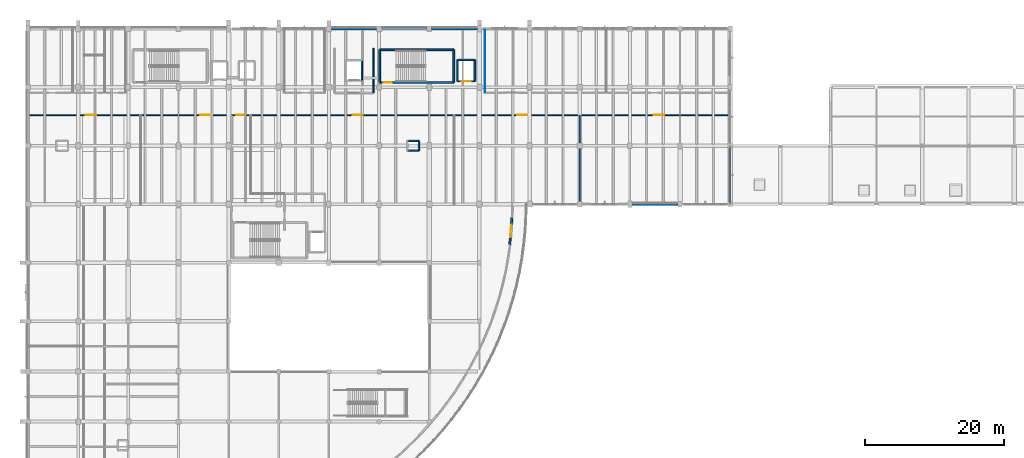
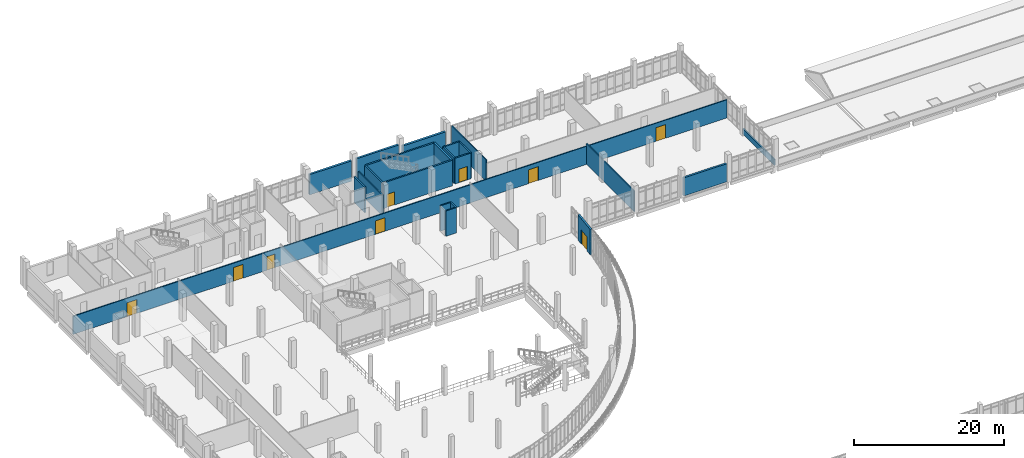
# One storey, part 111 of 124: 22 walls, 9 doors, 9 openings.
"""IFC4 building model written with IfcOpenShell, lengths in metres."""

from ifc_helpers import new_model, si_unit, direction, frame, frame_2d, origin, place, context, subcontext, project, spatial, rectangle, extrude, material, layer, layer_set, type_object, element, fill, save


model = new_model("IFC4")

# Units and contexts
model_context = context("Model", 3, precision=1e-05, world=origin(), true_north=direction((0.0, 1.0)))
body_context = subcontext(model_context, "Body", "Model", "MODEL_VIEW")
ifc_project = project(units=[si_unit("LENGTHUNIT", "METRE"), si_unit("AREAUNIT", "SQUARE_METRE"), si_unit("VOLUMEUNIT", "CUBIC_METRE"), si_unit("PLANEANGLEUNIT", "RADIAN"), si_unit("MASSUNIT", "GRAM", prefix="KILO")], contexts=[model_context])

# Site, building, storey
site_placement = place(None, origin())
site = spatial("IfcSite", under=ifc_project, at=site_placement, CompositionType="ELEMENT")
building_placement = place(site_placement, origin())
building = spatial("IfcBuilding", under=site, at=building_placement, Name="Kalluvel Institute of Natural Sciences", CompositionType="ELEMENT")
storey_placement = place(building_placement, frame((0.0, 0.0, 9.89990234375)))
storey = spatial("IfcBuildingStorey", under=building, at=storey_placement, Name="L02", CompositionType="ELEMENT", Elevation=9.89990234375)

# Wall, opening, door
ifc_material_1 = material(Name="Concrete M40", Category="concrete")
ifc_layer_1 = layer(ifc_material_1, 0.25)
ifc_layer_set_1 = layer_set([ifc_layer_1], Name="Concrete M40")
wall_type_1 = type_object("IfcWallType", Name="WL-CORE-250", PredefinedType="SHEAR", material=ifc_layer_set_1)
wall_1_placement = place(storey_placement, frame((64.485107421875, 120.284912109375, 0.0), z_axis=(0.0, 0.0, 1.0), x_axis=(1.0, 0.0, 0.0)))
wall_1 = element("IfcWall", 1, at=wall_1_placement, inside=storey, type_object=wall_type_1, Name="ST2 L02 core wall S", PredefinedType="SHEAR", context=body_context, shape_type="SweptSolid", body=[
    extrude(rectangle(XDim=10.6298828125, YDim=0.25, at=frame_2d((5.31494140625, 0.0))), origin(), (0.0, 0.0, 1.0), 4.175048828125),
])
opening_1_placement = place(wall_1_placement, frame((0.550048828125, 0.0, 0.0)))
opening_1 = element("IfcOpeningElement", 2, at=opening_1_placement, cuts=wall_1, Name="Opening DS-015", PredefinedType="OPENING", context=body_context, shape_type="SweptSolid", body=[
    extrude(rectangle(XDim=1.199951171875, YDim=2.14990234375, at=frame_2d((0.60009765625, 1.074951171875))), frame((0.0, 0.135009765625, 0.0), z_axis=(0.0, -1.0, 0.0), x_axis=(1.0, 0.0, 0.0)), (0.0, 0.0, 1.0), 0.27001953125),
])
ifc_material_2 = material(Name="Galvanized Fire-Rated Steel", Category="steel")
door_type_1 = type_object("IfcDoorType", Name="DR-ST-1200", OperationType="NOTDEFINED", PredefinedType="DOOR", material=ifc_material_2)
door_1_placement = place(opening_1_placement, origin())
door_1 = element("IfcDoor", 3, at=door_1_placement, inside=storey, type_object=door_type_1, Name="ST2 L02 protected stair door DS-015", OperationType="SINGLE_SWING_RIGHT", OverallHeight=2.14990234375, OverallWidth=1.199951171875, PredefinedType="DOOR", context=body_context, shape_type="SweptSolid", body=[
    extrude(rectangle(XDim=1.199951171875, YDim=2.14990234375, at=frame_2d((0.60009765625, 1.074951171875))), frame((0.0, 0.02490234375, 0.0), z_axis=(0.0, -1.0, 0.0), x_axis=(1.0, 0.0, 0.0)), (0.0, 0.0, 1.0), 0.050048828125),
])
fill(opening_1, door_1)

# Walls
wall_2_placement = place(storey_placement, frame((75.114990234375, 120.284912109375, 0.0), z_axis=(0.0, 0.0, 1.0), x_axis=(0.0, 1.0, 0.0)))
element("IfcWall", 4, at=wall_2_placement, inside=storey, type_object=wall_type_1, Name="ST2 L02 core wall E", PredefinedType="SHEAR", context=body_context, shape_type="SweptSolid", body=[
    extrude(rectangle(XDim=4.7001953125, YDim=0.25, at=frame_2d((2.35009765625, 0.0))), origin(), (0.0, 0.0, 1.0), 4.175048828125),
])
wall_3_placement = place(storey_placement, frame((75.114990234375, 124.985107421875, 0.0), z_axis=(0.0, 0.0, 1.0), x_axis=(-1.0, 0.0, 0.0)))
element("IfcWall", 5, at=wall_3_placement, inside=storey, type_object=wall_type_1, Name="ST2 L02 core wall N", PredefinedType="SHEAR", context=body_context, shape_type="SweptSolid", body=[
    extrude(rectangle(XDim=10.6298828125, YDim=0.25, at=frame_2d((5.31494140625, 0.0))), origin(), (0.0, 0.0, 1.0), 4.175048828125),
])
wall_4_placement = place(storey_placement, frame((64.485107421875, 124.985107421875, 0.0), z_axis=(0.0, 0.0, 1.0), x_axis=(0.0, -1.0, 0.0)))
element("IfcWall", 6, at=wall_4_placement, inside=storey, type_object=wall_type_1, Name="ST2 L02 core wall W", PredefinedType="SHEAR", context=body_context, shape_type="SweptSolid", body=[
    extrude(rectangle(XDim=4.7001953125, YDim=0.25, at=frame_2d((2.35009765625, 0.0))), origin(), (0.0, 0.0, 1.0), 4.175048828125),
])

# Wall, opening, door
ifc_material_3 = material(Name="Sadarahalli Grey Granite Ashlar Concrete M40", Category="masonry")
ifc_layer_2 = layer(ifc_material_3, 0.280029296875)
ifc_layer_set_2 = layer_set([ifc_layer_2], Name="Sadarahalli Grey Granite Ashlar Concrete M40")
wall_type_2 = type_object("IfcWallType", Name="WL-EXT-280", PredefinedType="SOLIDWALL", material=ifc_layer_set_2)
wall_5_placement = place(storey_placement, frame((83.15087890625, 97.0263671875, 0.0), z_axis=(0.0, 0.0, 1.0), x_axis=(0.080442000072, 0.996759291215, 0.0)))
wall_5 = element("IfcWall", 7, at=wall_5_placement, inside=storey, type_object=wall_type_2, Name="L02 Sadarahalli granite exterior wall WL-EXT-L02-0224", PredefinedType="SOLIDWALL", context=body_context, shape_type="SweptSolid", body=[
    extrude(rectangle(XDim=3.857421875, YDim=0.280029296875, at=frame_2d((1.9287109375, 0.0))), origin(), (0.0, 0.0, 1.0), 4.150146484375),
])
opening_2_placement = place(wall_5_placement, frame((1.02880859375, 0.0, 0.0)))
opening_2 = element("IfcOpeningElement", 8, at=opening_2_placement, cuts=wall_5, Name="Opening DT-006", PredefinedType="OPENING", context=body_context, shape_type="SweptSolid", body=[
    extrude(rectangle(XDim=1.800048828125, YDim=2.300048828125, at=frame_2d((0.89990234375, 1.14990234375))), frame((0.0, 0.14990234375, 0.0), z_axis=(0.0, -1.0, 0.0), x_axis=(1.0, 0.0, 0.0)), (0.0, 0.0, 1.0), 0.300048828125),
])
ifc_material_4 = material(Name="Aluminium AW-6063 T6", Category="aluminium")
door_type_2 = type_object("IfcDoorType", Name="DR-TER-1800", OperationType="NOTDEFINED", PredefinedType="DOOR", material=ifc_material_4)
door_2_placement = place(opening_2_placement, origin())
door_2 = element("IfcDoor", 9, at=door_2_placement, inside=storey, type_object=door_type_2, Name="L02 Curved Stepped Atrium Terrace Door", OperationType="DOUBLE_DOOR_SINGLE_SWING", OverallHeight=2.300048828125, OverallWidth=1.800048828125, PredefinedType="DOOR", context=body_context, shape_type="SweptSolid", body=[
    extrude(rectangle(XDim=1.800048828125, YDim=2.300048828125, at=frame_2d((0.89990234375, 1.14990234375))), frame((0.0, 0.02490234375, 0.0), z_axis=(0.0, -1.0, 0.0), x_axis=(1.0, 0.0, 0.0)), (0.0, 0.0, 1.0), 0.050048828125),
])
fill(opening_2, door_2)

# Walls
ifc_layer_3 = layer(ifc_material_3, 0.300048828125)
ifc_layer_set_3 = layer_set([ifc_layer_3], Name="Sadarahalli Grey Granite Ashlar Concrete M40")
wall_type_3 = type_object("IfcWallType", Name="WL-EXT-300", PredefinedType="SOLIDWALL", material=ifc_layer_set_3)
wall_6_placement = place(storey_placement, frame((100.679931640625, 102.800048828125, 0.0), z_axis=(0.0, 0.0, 1.0), x_axis=(1.0, 0.0, 0.0)))
element("IfcWall", 10, at=wall_6_placement, inside=storey, type_object=wall_type_3, Name="L02 Sadarahalli granite exterior wall WL-EXT-L02-0035", PredefinedType="SOLIDWALL", context=body_context, shape_type="SweptSolid", body=[
    extrude(rectangle(XDim=6.64013671875, YDim=0.300048828125, at=frame_2d((3.320068359375, 0.0))), origin(), (0.0, 0.0, 1.0), 2.955078125),
])
ifc_layer_4 = layer(ifc_material_3, 0.320068359375)
ifc_layer_set_4 = layer_set([ifc_layer_4], Name="Sadarahalli Grey Granite Ashlar Concrete M40")
wall_type_4 = type_object("IfcWallType", Name="WL-EXT-320", PredefinedType="SOLIDWALL", material=ifc_layer_set_4)
wall_7_placement = place(storey_placement, frame((57.554931640625, 128.0, 0.0), z_axis=(0.0, 0.0, 1.0), x_axis=(1.0, 0.0, 0.0)))
element("IfcWall", 11, at=wall_7_placement, inside=storey, type_object=wall_type_4, Name="L02 Sadarahalli granite exterior wall WL-EXT-L02-0032", PredefinedType="SOLIDWALL", context=body_context, shape_type="SweptSolid", body=[
    extrude(rectangle(XDim=6.465087890625, YDim=0.320068359375, at=frame_2d((3.232421875, 0.0))), origin(), (0.0, 0.0, 1.0), 3.30517578125),
])
wall_8_placement = place(storey_placement, frame((64.780029296875, 128.0, 0.0), z_axis=(0.0, 0.0, 1.0), x_axis=(1.0, 0.0, 0.0)))
element("IfcWall", 12, at=wall_8_placement, inside=storey, type_object=wall_type_4, Name="L02 Sadarahalli granite exterior wall WL-EXT-L02-0033", PredefinedType="SOLIDWALL", context=body_context, shape_type="SweptSolid", body=[
    extrude(rectangle(XDim=6.514892578125, YDim=0.320068359375, at=frame_2d((3.25732421875, 0.0))), origin(), (0.0, 0.0, 1.0), 3.35498046875),
])
wall_9_placement = place(storey_placement, frame((71.905029296875, 128.0, 0.0), z_axis=(0.0, 0.0, 1.0), x_axis=(1.0, 0.0, 0.0)))
element("IfcWall", 13, at=wall_9_placement, inside=storey, type_object=wall_type_4, Name="L02 Sadarahalli granite exterior wall WL-EXT-L02-0034", PredefinedType="SOLIDWALL", context=body_context, shape_type="SweptSolid", body=[
    extrude(rectangle(XDim=6.614990234375, YDim=0.320068359375, at=frame_2d((3.3076171875, 0.0))), origin(), (0.0, 0.0, 1.0), 2.955078125),
])
ifc_material_5 = material(Name="Autoclaved Aerated Concrete Masonry Block", Category="masonry")
ifc_layer_5 = layer(ifc_material_5, 0.199951171875)
ifc_layer_set_5 = layer_set([ifc_layer_5], Name="Autoclaved Aerated Concrete Masonry Block")
wall_type_5 = type_object("IfcWallType", Name="WL-FIRE-200", PredefinedType="SOLIDWALL", material=ifc_layer_set_5)
wall_10_placement = place(storey_placement, frame((63.60009765625, 118.800048828125, 0.0), z_axis=(0.0, 0.0, 1.0), x_axis=(0.0, 1.0, 0.0)))
element("IfcWall", 14, at=wall_10_placement, inside=storey, type_object=wall_type_5, Name="L02 interior fire wall WL-INT-L02-0128", PredefinedType="SOLIDWALL", context=body_context, shape_type="SweptSolid", body=[
    extrude(rectangle(XDim=6.39990234375, YDim=0.199951171875, at=frame_2d((3.199951171875, 0.0))), origin(), (0.0, 0.0, 1.0), 3.360107421875),
])
ifc_layer_6 = layer(ifc_material_3, 0.199951171875)
ifc_layer_set_6 = layer_set([ifc_layer_6], Name="Sadarahalli Grey Granite Ashlar Concrete M40")
wall_type_6 = type_object("IfcWallType", Name="WL-PAR-200", PredefinedType="PARAPET", material=ifc_layer_set_6)
wall_11_placement = place(storey_placement, frame((114.800048828125, 111.199951171875, 0.0), z_axis=(0.0, 0.0, 1.0), x_axis=(0.0, -1.0, 0.0)))
element("IfcWall", 15, at=wall_11_placement, inside=storey, type_object=wall_type_6, Name="L02 maintenance roof stone parapet 27", PredefinedType="PARAPET", context=body_context, shape_type="SweptSolid", body=[
    extrude(rectangle(XDim=8.39990234375, YDim=0.199951171875, at=frame_2d((4.199951171875, 0.0))), origin(), (0.0, 0.0, 1.0), 0.9501953125),
])
ifc_material_6 = material(Name="Acoustic Gypsum Twin-Stud Partition", Category="gypsum")
ifc_layer_7 = layer(ifc_material_6, 0.139892578125)
ifc_layer_set_7 = layer_set([ifc_layer_7], Name="Acoustic Gypsum Twin-Stud Partition")
wall_type_7 = type_object("IfcWallType", Name="WL-PART-140", PredefinedType="PARTITIONING", material=ifc_layer_set_7)
wall_12_placement = place(storey_placement, frame((79.60009765625, 118.800048828125, 0.0), z_axis=(0.0, 0.0, 1.0), x_axis=(0.0, 1.0, 0.0)))
element("IfcWall", 16, at=wall_12_placement, inside=storey, type_object=wall_type_7, Name="L02 interior partition wall WL-INT-L02-0145", PredefinedType="PARTITIONING", context=body_context, shape_type="SweptSolid", body=[
    extrude(rectangle(XDim=9.199951171875, YDim=0.139892578125, at=frame_2d((4.60009765625, 0.0))), origin(), (0.0, 0.0, 1.0), 3.510009765625),
])

# Wall, openings, doors
ifc_layer_8 = layer(ifc_material_5, 0.159912109375)
ifc_layer_set_8 = layer_set([ifc_layer_8], Name="Autoclaved Aerated Concrete Masonry Block")
wall_type_8 = type_object("IfcWallType", Name="WL-PART-160", PredefinedType="PARTITIONING", material=ifc_layer_set_8)
wall_13_placement = place(storey_placement, frame((14.0, 115.60009765625, 0.0), z_axis=(0.0, 0.0, 1.0), x_axis=(1.0, 0.0, 0.0)))
wall_13 = element("IfcWall", 17, at=wall_13_placement, inside=storey, type_object=wall_type_8, Name="L02 interior partition wall WL-INT-L02-0147", PredefinedType="PARTITIONING", context=body_context, shape_type="SweptSolid", body=[
    extrude(rectangle(XDim=100.800048828125, YDim=0.159912109375, at=frame_2d((50.39990234375, 0.0))), origin(), (0.0, 0.0, 1.0), 2.960205078125),
])
opening_3_placement = place(wall_13_placement, frame((29.89990234375, 0.0, 0.0)))
opening_3 = element("IfcOpeningElement", 18, at=opening_3_placement, cuts=wall_13, Name="Opening D-130", PredefinedType="OPENING", context=body_context, shape_type="SweptSolid", body=[
    extrude(rectangle(XDim=1.179931640625, YDim=2.199951171875, at=frame_2d((0.58984375, 1.10009765625))), frame((0.0, 0.08984375, 0.0), z_axis=(0.0, -1.0, 0.0), x_axis=(1.0, 0.0, 0.0)), (0.0, 0.0, 1.0), 0.179931640625),
])
opening_4_placement = place(wall_13_placement, frame((8.300048828125, 0.0, 0.0)))
opening_4 = element("IfcOpeningElement", 19, at=opening_4_placement, cuts=wall_13, Name="Opening D-131", PredefinedType="OPENING", context=body_context, shape_type="SweptSolid", body=[
    extrude(rectangle(XDim=1.5, YDim=2.25, at=frame_2d((0.75, 1.125))), frame((0.0, 0.08984375, 0.0), z_axis=(0.0, -1.0, 0.0), x_axis=(1.0, 0.0, 0.0)), (0.0, 0.0, 1.0), 0.179931640625),
])
opening_5_placement = place(wall_13_placement, frame((24.699951171875, 0.0, 0.0)))
opening_5 = element("IfcOpeningElement", 20, at=opening_5_placement, cuts=wall_13, Name="Opening D-132", PredefinedType="OPENING", context=body_context, shape_type="SweptSolid", body=[
    extrude(rectangle(XDim=1.5, YDim=2.25, at=frame_2d((0.75, 1.125))), frame((0.0, 0.08984375, 0.0), z_axis=(0.0, -1.0, 0.0), x_axis=(1.0, 0.0, 0.0)), (0.0, 0.0, 1.0), 0.179931640625),
])
opening_6_placement = place(wall_13_placement, frame((46.60009765625, 0.0, 0.0)))
opening_6 = element("IfcOpeningElement", 21, at=opening_6_placement, cuts=wall_13, Name="Opening D-133", PredefinedType="OPENING", context=body_context, shape_type="SweptSolid", body=[
    extrude(rectangle(XDim=1.449951171875, YDim=2.199951171875, at=frame_2d((0.72509765625, 1.10009765625))), frame((0.0, 0.08984375, 0.0), z_axis=(0.0, -1.0, 0.0), x_axis=(1.0, 0.0, 0.0)), (0.0, 0.0, 1.0), 0.179931640625),
])
opening_7_placement = place(wall_13_placement, frame((70.199951171875, 0.0, 0.0)))
opening_7 = element("IfcOpeningElement", 22, at=opening_7_placement, cuts=wall_13, Name="Opening D-134", PredefinedType="OPENING", context=body_context, shape_type="SweptSolid", body=[
    extrude(rectangle(XDim=1.5, YDim=2.25, at=frame_2d((0.75, 1.125))), frame((0.0, 0.08984375, 0.0), z_axis=(0.0, -1.0, 0.0), x_axis=(1.0, 0.0, 0.0)), (0.0, 0.0, 1.0), 0.179931640625),
])
opening_8_placement = place(wall_13_placement, frame((89.800048828125, 0.0, 0.0)))
opening_8 = element("IfcOpeningElement", 23, at=opening_8_placement, cuts=wall_13, Name="Opening D-135", PredefinedType="OPENING", context=body_context, shape_type="SweptSolid", body=[
    extrude(rectangle(XDim=1.5, YDim=2.25, at=frame_2d((0.75, 1.125))), frame((0.0, 0.08984375, 0.0), z_axis=(0.0, -1.0, 0.0), x_axis=(1.0, 0.0, 0.0)), (0.0, 0.0, 1.0), 0.179931640625),
])
door_type_3 = type_object("IfcDoorType", Name="DR-DBL-1450", OperationType="NOTDEFINED", PredefinedType="DOOR", material=ifc_material_4)
door_3_placement = place(opening_6_placement, origin())
door_3 = element("IfcDoor", 24, at=door_3_placement, inside=storey, type_object=door_type_3, Name="NMR and Mass Spectrometry Central Facility door D-133", OperationType="DOUBLE_DOOR_SINGLE_SWING", OverallHeight=2.199951171875, OverallWidth=1.449951171875, PredefinedType="DOOR", context=body_context, shape_type="SweptSolid", body=[
    extrude(rectangle(XDim=1.449951171875, YDim=2.199951171875, at=frame_2d((0.72509765625, 1.10009765625))), frame((0.0, 0.02490234375, 0.0), z_axis=(0.0, -1.0, 0.0), x_axis=(1.0, 0.0, 0.0)), (0.0, 0.0, 1.0), 0.050048828125),
])
fill(opening_6, door_3)
ifc_material_7 = material(Name="Engineered Hardwood Acoustic Leaf", Category="wood")
door_type_4 = type_object("IfcDoorType", Name="DR-INT-1180", OperationType="NOTDEFINED", PredefinedType="DOOR", material=ifc_material_7)
door_4_placement = place(opening_3_placement, origin())
door_4 = element("IfcDoor", 25, at=door_4_placement, inside=storey, type_object=door_type_4, Name="L02 Knuckle to Spine door D-130", OperationType="SINGLE_SWING_RIGHT", OverallHeight=2.199951171875, OverallWidth=1.179931640625, PredefinedType="DOOR", context=body_context, shape_type="SweptSolid", body=[
    extrude(rectangle(XDim=1.179931640625, YDim=2.199951171875, at=frame_2d((0.58984375, 1.10009765625))), frame((0.0, 0.02490234375, 0.0), z_axis=(0.0, -1.0, 0.0), x_axis=(1.0, 0.0, 0.0)), (0.0, 0.0, 1.0), 0.050048828125),
])
fill(opening_3, door_4)
door_type_5 = type_object("IfcDoorType", Name="DR-LAB-1500", OperationType="NOTDEFINED", PredefinedType="DOOR", material=ifc_material_4)
door_5_placement = place(opening_4_placement, origin())
door_5 = element("IfcDoor", 26, at=door_5_placement, inside=storey, type_object=door_type_5, Name="Organic Chemistry Synthesis Wet Laboratory door D-131", OperationType="DOUBLE_DOOR_SINGLE_SWING", OverallHeight=2.25, OverallWidth=1.5, PredefinedType="DOOR", context=body_context, shape_type="SweptSolid", body=[
    extrude(rectangle(XDim=1.5, YDim=2.25, at=frame_2d((0.75, 1.125))), frame((0.0, 0.02490234375, 0.0), z_axis=(0.0, -1.0, 0.0), x_axis=(1.0, 0.0, 0.0)), (0.0, 0.0, 1.0), 0.050048828125),
])
fill(opening_4, door_5)
door_6_placement = place(opening_5_placement, origin())
door_6 = element("IfcDoor", 27, at=door_6_placement, inside=storey, type_object=door_type_5, Name="Natural Products Catalysis Wet Laboratory door D-132", OperationType="DOUBLE_DOOR_SINGLE_SWING", OverallHeight=2.25, OverallWidth=1.5, PredefinedType="DOOR", context=body_context, shape_type="SweptSolid", body=[
    extrude(rectangle(XDim=1.5, YDim=2.25, at=frame_2d((0.75, 1.125))), frame((0.0, 0.02490234375, 0.0), z_axis=(0.0, -1.0, 0.0), x_axis=(1.0, 0.0, 0.0)), (0.0, 0.0, 1.0), 0.050048828125),
])
fill(opening_5, door_6)
door_7_placement = place(opening_7_placement, origin())
door_7 = element("IfcDoor", 28, at=door_7_placement, inside=storey, type_object=door_type_5, Name="Photochemistry and Laser Spectroscopy Laboratory door D-134", OperationType="DOUBLE_DOOR_SINGLE_SWING", OverallHeight=2.25, OverallWidth=1.5, PredefinedType="DOOR", context=body_context, shape_type="SweptSolid", body=[
    extrude(rectangle(XDim=1.5, YDim=2.25, at=frame_2d((0.75, 1.125))), frame((0.0, 0.02490234375, 0.0), z_axis=(0.0, -1.0, 0.0), x_axis=(1.0, 0.0, 0.0)), (0.0, 0.0, 1.0), 0.050048828125),
])
fill(opening_7, door_7)
door_8_placement = place(opening_8_placement, origin())
door_8 = element("IfcDoor", 29, at=door_8_placement, inside=storey, type_object=door_type_5, Name="Inorganic Materials Synthesis Wet Laboratory door D-135", OperationType="DOUBLE_DOOR_SINGLE_SWING", OverallHeight=2.25, OverallWidth=1.5, PredefinedType="DOOR", context=body_context, shape_type="SweptSolid", body=[
    extrude(rectangle(XDim=1.5, YDim=2.25, at=frame_2d((0.75, 1.125))), frame((0.0, 0.02490234375, 0.0), z_axis=(0.0, -1.0, 0.0), x_axis=(1.0, 0.0, 0.0)), (0.0, 0.0, 1.0), 0.050048828125),
])
fill(opening_8, door_8)

# Walls
wall_14_placement = place(storey_placement, frame((93.199951171875, 102.800048828125, 0.0), z_axis=(0.0, 0.0, 1.0), x_axis=(0.0, 1.0, 0.0)))
element("IfcWall", 30, at=wall_14_placement, inside=storey, type_object=wall_type_8, Name="L02 interior partition wall WL-INT-L02-0150", PredefinedType="PARTITIONING", context=body_context, shape_type="SweptSolid", body=[
    extrude(rectangle(XDim=12.800048828125, YDim=0.159912109375, at=frame_2d((6.39990234375, 0.0))), origin(), (0.0, 0.0, 1.0), 3.360107421875),
])
ifc_layer_9 = layer(ifc_material_1, 0.199951171875)
ifc_layer_set_9 = layer_set([ifc_layer_9], Name="Concrete M40")
wall_type_9 = type_object("IfcWallType", Name="WL-RISER-200", PredefinedType="SHEAR", material=ifc_layer_set_9)
wall_15_placement = place(storey_placement, frame((68.5, 110.5, 0.0), z_axis=(0.0, 0.0, 1.0), x_axis=(1.0, 0.0, 0.0)))
element("IfcWall", 31, at=wall_15_placement, inside=storey, type_object=wall_type_9, Name="RS-WET-E L02 service riser enclosure S", PredefinedType="SHEAR", context=body_context, shape_type="SweptSolid", body=[
    extrude(rectangle(XDim=1.60009765625, YDim=0.199951171875, at=frame_2d((0.800048828125, 0.0))), origin(), (0.0, 0.0, 1.0), 4.14013671875),
])
wall_16_placement = place(storey_placement, frame((70.10009765625, 110.5, 0.0), z_axis=(0.0, 0.0, 1.0), x_axis=(0.0, 1.0, 0.0)))
element("IfcWall", 32, at=wall_16_placement, inside=storey, type_object=wall_type_9, Name="RS-WET-E L02 service riser enclosure E", PredefinedType="SHEAR", context=body_context, shape_type="SweptSolid", body=[
    extrude(rectangle(XDim=1.39990234375, YDim=0.199951171875, at=frame_2d((0.699951171875, 0.0))), origin(), (0.0, 0.0, 1.0), 4.14013671875),
])
wall_17_placement = place(storey_placement, frame((70.10009765625, 111.89990234375, 0.0), z_axis=(0.0, 0.0, 1.0), x_axis=(-1.0, 0.0, 0.0)))
element("IfcWall", 33, at=wall_17_placement, inside=storey, type_object=wall_type_9, Name="RS-WET-E L02 service riser enclosure N", PredefinedType="SHEAR", context=body_context, shape_type="SweptSolid", body=[
    extrude(rectangle(XDim=1.60009765625, YDim=0.199951171875, at=frame_2d((0.800048828125, 0.0))), origin(), (0.0, 0.0, 1.0), 4.14013671875),
])
ifc_layer_10 = layer(ifc_material_1, 0.219970703125)
ifc_layer_set_10 = layer_set([ifc_layer_10], Name="Concrete M40")
wall_type_10 = type_object("IfcWallType", Name="WL-SHAFT-220", PredefinedType="SHEAR", material=ifc_layer_set_10)
wall_18_placement = place(storey_placement, frame((61.929931640625, 120.570068359375, 0.0), z_axis=(0.0, 0.0, 1.0), x_axis=(0.0, 1.0, 0.0)))
element("IfcWall", 34, at=wall_18_placement, inside=storey, type_object=wall_type_10, Name="LF3 L02 lift shaft wall", PredefinedType="SHEAR", context=body_context, shape_type="SweptSolid", body=[
    extrude(rectangle(XDim=2.85986328125, YDim=0.219970703125, at=frame_2d((1.429931640625, 0.0))), origin(), (0.0, 0.0, 1.0), 4.175048828125),
])

# Wall, opening, door
wall_19_placement = place(storey_placement, frame((75.669921875, 120.469970703125, 0.0), z_axis=(0.0, 0.0, 1.0), x_axis=(1.0, 0.0, 0.0)))
wall_19 = element("IfcWall", 35, at=wall_19_placement, inside=storey, type_object=wall_type_10, Name="LF4 L02 lift shaft wall", PredefinedType="SHEAR", context=body_context, shape_type="SweptSolid", body=[
    extrude(rectangle(XDim=2.4599609375, YDim=0.219970703125, at=frame_2d((1.22998046875, 0.0))), origin(), (0.0, 0.0, 1.0), 4.175048828125),
])
opening_9_placement = place(wall_19_placement, frame((0.580078125, 0.0, 0.0)))
opening_9 = element("IfcOpeningElement", 36, at=opening_9_placement, cuts=wall_19, Name="Opening LD-034", PredefinedType="OPENING", context=body_context, shape_type="SweptSolid", body=[
    extrude(rectangle(XDim=1.300048828125, YDim=2.199951171875, at=frame_2d((0.64990234375, 1.10009765625))), frame((0.0, 0.119873046875, 0.0), z_axis=(0.0, -1.0, 0.0), x_axis=(1.0, 0.0, 0.0)), (0.0, 0.0, 1.0), 0.239990234375),
])
door_type_6 = type_object("IfcDoorType", Name="DR-LD-1300", OperationType="NOTDEFINED", PredefinedType="DOOR", material=ifc_material_2)
door_9_placement = place(opening_9_placement, origin())
door_9 = element("IfcDoor", 37, at=door_9_placement, inside=storey, type_object=door_type_6, Name="LF4 L02 sliding lift landing door LD-034", OperationType="DOUBLE_DOOR_SLIDING", OverallHeight=2.199951171875, OverallWidth=1.300048828125, PredefinedType="DOOR", context=body_context, shape_type="SweptSolid", body=[
    extrude(rectangle(XDim=1.300048828125, YDim=2.199951171875, at=frame_2d((0.64990234375, 1.10009765625))), frame((0.0, 0.02490234375, 0.0), z_axis=(0.0, -1.0, 0.0), x_axis=(1.0, 0.0, 0.0)), (0.0, 0.0, 1.0), 0.050048828125),
])
fill(opening_9, door_9)

# Walls
wall_20_placement = place(storey_placement, frame((78.1298828125, 120.469970703125, 0.0), z_axis=(0.0, 0.0, 1.0), x_axis=(0.0, 1.0, 0.0)))
element("IfcWall", 38, at=wall_20_placement, inside=storey, type_object=wall_type_10, Name="LF4 L02 lift shaft wall", PredefinedType="SHEAR", context=body_context, shape_type="SweptSolid", body=[
    extrude(rectangle(XDim=3.06005859375, YDim=0.219970703125, at=frame_2d((1.530029296875, 0.0))), origin(), (0.0, 0.0, 1.0), 4.175048828125),
])
wall_21_placement = place(storey_placement, frame((78.1298828125, 123.530029296875, 0.0), z_axis=(0.0, 0.0, 1.0), x_axis=(-1.0, 0.0, 0.0)))
element("IfcWall", 39, at=wall_21_placement, inside=storey, type_object=wall_type_10, Name="LF4 L02 lift shaft wall", PredefinedType="SHEAR", context=body_context, shape_type="SweptSolid", body=[
    extrude(rectangle(XDim=2.4599609375, YDim=0.219970703125, at=frame_2d((1.22998046875, 0.0))), origin(), (0.0, 0.0, 1.0), 4.175048828125),
])
wall_22_placement = place(storey_placement, frame((75.669921875, 123.530029296875, 0.0), z_axis=(0.0, 0.0, 1.0), x_axis=(0.0, -1.0, 0.0)))
element("IfcWall", 40, at=wall_22_placement, inside=storey, type_object=wall_type_10, Name="LF4 L02 lift shaft wall", PredefinedType="SHEAR", context=body_context, shape_type="SweptSolid", body=[
    extrude(rectangle(XDim=3.06005859375, YDim=0.219970703125, at=frame_2d((1.530029296875, 0.0))), origin(), (0.0, 0.0, 1.0), 4.175048828125),
])

save(model, "model.ifc")
